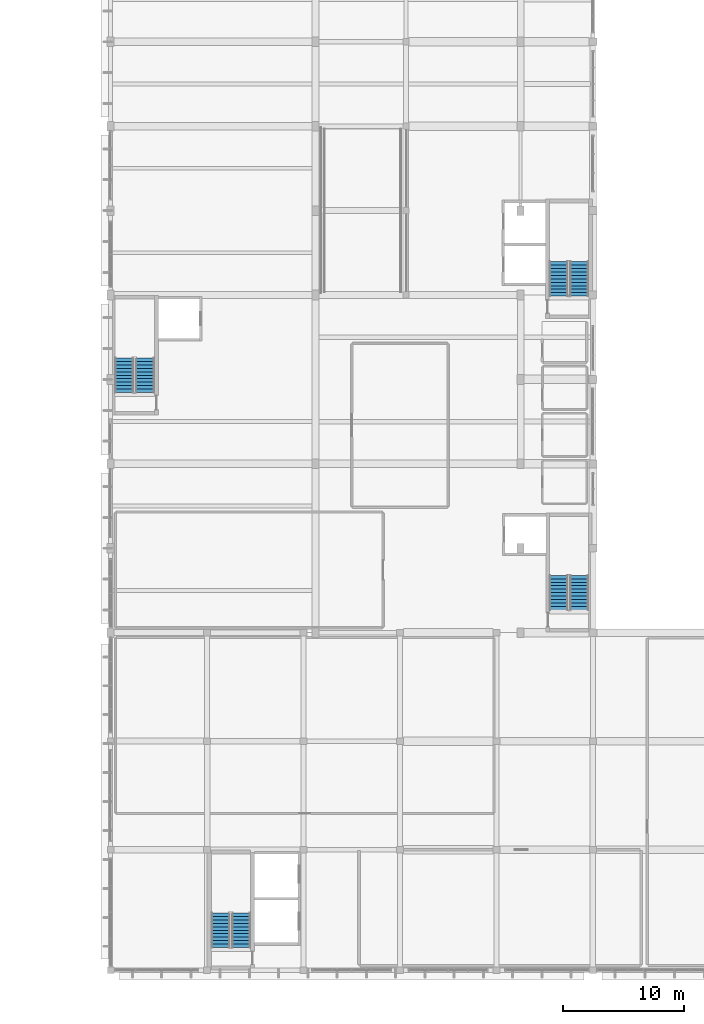
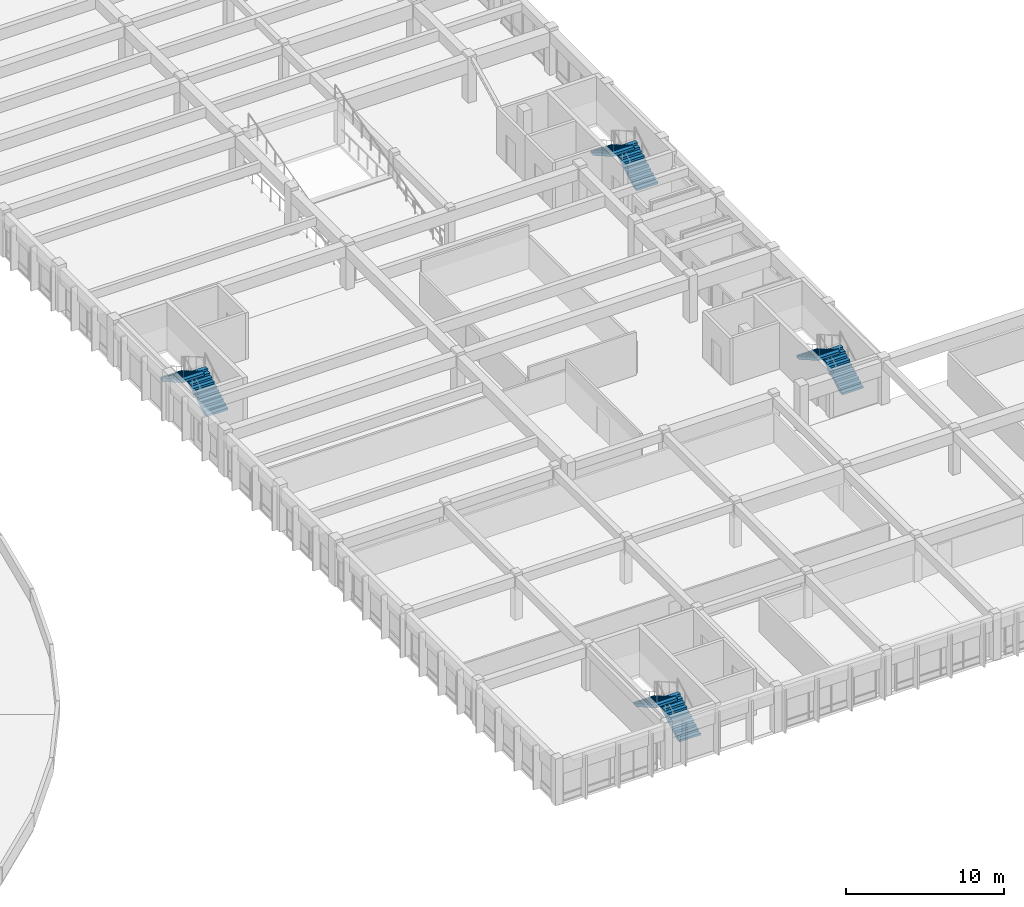
# One storey, part 62 of 77: 8 stair flights, 4 elements without a shape of their own.
"""IFC4 building model written with IfcOpenShell, lengths in metres."""

import ifcopenshell
import ifcopenshell.guid

model = None  # the IFC model being written
_history = None  # IfcOwnerHistory: only IFC2X3 demands one
_inside = {}  # id of a spatial element -> (the spatial element, [elements in it])
_under = {}  # id of a project, library or spatial element -> (it, [spatial elements below it])
_declared = {}  # id of a project -> (the project, [libraries it declares])
_typed = {}  # id of a type object -> (the type object, [elements of that type])
_made_of = {}  # id of a material, layer set ... -> (it, [elements and type objects made of it])


def new_model(schema):
    """Start an empty IFC model of exactly this schema.

    Asked for "IFC4X3", IfcOpenShell would pick the latest addendum, in which some entities
    have other attributes; the version numbers below select the first issue.
    IFC2X3 requires an IfcOwnerHistory on every rooted entity: one is made here for all.
    """
    global model, _history
    if schema == "IFC4X3":
        model = ifcopenshell.file(schema_version=(4, 3, 0, 0))
    else:
        model = ifcopenshell.file(schema=schema)
    _inside.clear()
    _under.clear()
    _declared.clear()
    _typed.clear()
    _made_of.clear()
    _history = None
    if model.schema == "IFC2X3":
        org = make("IfcOrganization", Name="unknown")
        user = make(
            "IfcPersonAndOrganization",
            ThePerson=make("IfcPerson", FamilyName="unknown"),
            TheOrganization=org,
        )
        app = make(
            "IfcApplication",
            ApplicationDeveloper=org,
            Version="unknown",
            ApplicationFullName="unknown",
            ApplicationIdentifier="unknown",
        )
        _history = make(
            "IfcOwnerHistory",
            OwningUser=user,
            OwningApplication=app,
            ChangeAction="ADDED",
            CreationDate=0,
        )
    return model


def make(cls, **values):
    """One entity of the class cls with the attributes given. An attribute that is None is left unset."""
    return model.create_entity(
        cls, **{name: value for name, value in values.items() if value is not None}
    )


def rooted(cls, **values):
    """An entity with a GlobalId (a new one), such as an element, a storey or a relation."""
    return make(cls, GlobalId=ifcopenshell.guid.new(), OwnerHistory=_history, **values)


def si_unit(unit_type, name, prefix=None):
    """IfcSIUnit, for example si_unit("LENGTHUNIT", "METRE", prefix="MILLI")."""
    return make("IfcSIUnit", UnitType=unit_type, Prefix=prefix, Name=name)


def assignment(units):
    """IfcUnitAssignment: the units of a project."""
    return None if units is None else make("IfcUnitAssignment", Units=units)


def point(xyz):
    """IfcCartesianPoint."""
    return None if xyz is None else make("IfcCartesianPoint", Coordinates=xyz)


def direction(xyz):
    """IfcDirection."""
    return None if xyz is None else make("IfcDirection", DirectionRatios=xyz)


def frame(location, z_axis=None, x_axis=None):
    """IfcAxis2Placement3D, a coordinate frame: its origin and axes. An axis left out is left unset."""
    return make(
        "IfcAxis2Placement3D",
        Location=point(location),
        Axis=direction(z_axis),
        RefDirection=direction(x_axis),
    )


def origin():
    """The frame at (0, 0, 0) with its axes left unset."""
    return frame((0.0, 0.0, 0.0))


def place(relative_to, where):
    """IfcLocalPlacement: puts the frame where relative to a parent placement (None: the world)."""
    return make(
        "IfcLocalPlacement", PlacementRelTo=relative_to, RelativePlacement=where
    )


def context(
    kind, dimensions, precision=None, world=None, true_north=None, identifier=None
):
    """IfcGeometricRepresentationContext, for example the 3D "Model" context."""
    return make(
        "IfcGeometricRepresentationContext",
        ContextIdentifier=identifier,
        ContextType=kind,
        CoordinateSpaceDimension=dimensions,
        Precision=precision,
        WorldCoordinateSystem=world,
        TrueNorth=true_north,
    )


def subcontext(parent, identifier, kind, view, scale=None):
    """IfcGeometricRepresentationSubContext, for example "Body" below "Model"."""
    return make(
        "IfcGeometricRepresentationSubContext",
        ContextIdentifier=identifier,
        ContextType=kind,
        ParentContext=parent,
        TargetScale=scale,
        TargetView=view,
    )


def project(units=None, contexts=None):
    """IfcProject with its units and contexts."""
    return rooted(
        "IfcProject",
        Name="project",
        RepresentationContexts=contexts,
        UnitsInContext=assignment(units),
    )


def spatial(cls, under=None, at=None, **own):
    """A site, building, storey or space (cls), placed at a placement, below another one or the project."""
    s = rooted(cls, ObjectPlacement=at, **own)
    if under is not None:
        _under.setdefault(under.id(), (under, []))[1].append(s)
    return s


def polyline(points):
    """IfcPolyline through the points."""
    return make("IfcPolyline", Points=[point(p) for p in points])


def outline(outer, holes=None, kind="AREA"):
    """IfcArbitraryClosedProfileDef: a profile drawn as a closed curve; with holes, ...WithVoids."""
    if holes is None:
        return make("IfcArbitraryClosedProfileDef", ProfileType=kind, OuterCurve=outer)
    return make(
        "IfcArbitraryProfileDefWithVoids",
        ProfileType=kind,
        OuterCurve=outer,
        InnerCurves=holes,
    )


def extrude(swept, where, along, depth):
    """IfcExtrudedAreaSolid: the profile swept, set in the frame where, extruded along a direction by depth."""
    return make(
        "IfcExtrudedAreaSolid",
        SweptArea=swept,
        Position=where,
        ExtrudedDirection=direction(along),
        Depth=depth,
    )


def shape(context_of_items, identifier, shape_type, items):
    """IfcShapeRepresentation: the items that make up one representation, for example the "Body"."""
    return make(
        "IfcShapeRepresentation",
        ContextOfItems=context_of_items,
        RepresentationIdentifier=identifier,
        RepresentationType=shape_type,
        Items=items,
    )


def material(Name=None, Category=None):
    """IfcMaterial."""
    return make("IfcMaterial", Name=Name, Category=Category)


def made_of(thing, what):
    """Note that an element or type object is made of a material, layer set ...; save() writes the relation."""
    if what is not None:
        _made_of.setdefault(what.id(), (what, []))[1].append(thing)
    return thing


def type_object(cls, material=None, **own):
    """A type object (cls), such as IfcWallType, which elements share."""
    return made_of(rooted(cls, **own), material)


def element(
    cls,
    number,
    at=None,
    inside=None,
    cuts=None,
    type_object=None,
    material=None,
    context=None,
    identifier="Body",
    shape_type=None,
    held_by="IfcProductDefinitionShape",
    body=None,
    shapes=None,
    **own,
):
    """One element of the class cls, such as IfcWall. Its Tag is "e" and its number.

    at: its placement. inside: the storey or other place that contains it. cuts: it is an
    opening in that element (IfcRelVoidsElement). A single representation is given by context,
    identifier, shape_type and body (its items); several are given by shapes. held_by: the class
    of the entity that holds the representations. save() writes the other relations.
    """
    e = rooted(cls, Tag="e%d" % number, ObjectPlacement=at, **own)
    if body is not None:
        shapes = [shape(context, identifier, shape_type, body)]
    if shapes is not None:
        e.Representation = make(held_by, Representations=shapes)
    if inside is not None:
        _inside.setdefault(inside.id(), (inside, []))[1].append(e)
    if cuts is not None:
        rooted(
            "IfcRelVoidsElement", RelatingBuildingElement=cuts, RelatedOpeningElement=e
        )
    if type_object is not None:
        _typed.setdefault(type_object.id(), (type_object, []))[1].append(e)
    return made_of(e, material)


def aggregate(whole, parts):
    """IfcRelAggregates: a whole, such as a stair, and the parts it consists of."""
    return rooted("IfcRelAggregates", RelatingObject=whole, RelatedObjects=parts)


def save(model, path):
    """Write the relations noted so far, then the file.

    IfcRelAggregates (storeys below a building ...), IfcRelContainedInSpatialStructure (elements
    in a storey), IfcRelDefinesByType, IfcRelAssociatesMaterial and IfcRelDeclares: one each for
    every whole, place, type object, material and project.
    """
    for whole, parts in _under.values():
        aggregate(whole, parts)
    for where, things in _inside.values():
        rooted(
            "IfcRelContainedInSpatialStructure",
            RelatedElements=things,
            RelatingStructure=where,
        )
    for kind, things in _typed.values():
        rooted("IfcRelDefinesByType", RelatedObjects=things, RelatingType=kind)
    for what, things in _made_of.values():
        rooted("IfcRelAssociatesMaterial", RelatedObjects=things, RelatingMaterial=what)
    for by, libraries in _declared.values():
        rooted("IfcRelDeclares", RelatingContext=by, RelatedDefinitions=libraries)
    model.write(path)


model = new_model("IFC4")

# Units and contexts
model_context = context("Model", 3, precision=1e-05, world=origin(), true_north=direction((0.0, 1.0)))
body_context = subcontext(model_context, "Body", "Model", "MODEL_VIEW")
ifc_project = project(units=[si_unit("LENGTHUNIT", "METRE"), si_unit("AREAUNIT", "SQUARE_METRE"), si_unit("VOLUMEUNIT", "CUBIC_METRE"), si_unit("PLANEANGLEUNIT", "RADIAN"), si_unit("MASSUNIT", "GRAM", prefix="KILO")], contexts=[model_context])

# Site, building, storey
site_placement = place(None, origin())
site = spatial("IfcSite", under=ifc_project, at=site_placement, CompositionType="ELEMENT")
building_placement = place(site_placement, origin())
building = spatial("IfcBuilding", under=site, at=building_placement, Name="Larkveld Mobility Hub", CompositionType="ELEMENT")
storey_placement = place(building_placement, frame((0.0, 0.0, 12.0)))
storey = spatial("IfcBuildingStorey", under=building, at=storey_placement, Name="L03", CompositionType="ELEMENT", Elevation=12.0)

# Stair, stair flights
ifc_material = material(Name="Concrete C40/50", Category="concrete")
stair_type_1 = type_object("IfcStairType", Name="ST-HT-01", PredefinedType="HALF_TURN_STAIR", material=ifc_material)
stair_1_placement = place(storey_placement, origin())
stair_1 = element("IfcStair", 1, at=stair_1_placement, inside=storey, type_object=stair_type_1, Name="L03 Protected Escape Stair ST1", PredefinedType="HALF_TURN_STAIR")
stair_flight_type_1 = type_object("IfcStairFlightType", Name="SF-HT-01", PredefinedType="STRAIGHT", material=ifc_material)
stair_flight_1_placement = place(storey_placement, frame((150.875, 29.89990234375, 0.0), z_axis=(0.0, 0.0, 1.0), x_axis=(0.0, 1.0, 0.0)))
stair_flight_1 = element("IfcStairFlight", 2, at=stair_flight_1_placement, type_object=stair_flight_type_1, Name="ST1 flight 1", NumberOfRisers=11, NumberOfTreads=10, PredefinedType="STRAIGHT", RiserHeight=0.163636364, TreadLength=0.285, context=body_context, shape_type="SweptSolid", body=[
    extrude(outline(polyline([(0.0, 0.0), (0.0, 0.16357421875), (0.284912109375, 0.16357421875), (0.284912109375, 0.327392578125), (0.570068359375, 0.327392578125), (0.570068359375, 0.490966796875), (0.85498046875, 0.490966796875), (0.85498046875, 0.654541015625), (1.139892578125, 0.654541015625), (1.139892578125, 0.818115234375), (1.425048828125, 0.818115234375), (1.425048828125, 0.98193359375), (1.7099609375, 0.98193359375), (1.7099609375, 1.1455078125), (1.9951171875, 1.1455078125), (1.9951171875, 1.30908203125), (2.280029296875, 1.30908203125), (2.280029296875, 1.47265625), (2.56494140625, 1.47265625), (2.56494140625, 1.636474609375), (2.85009765625, 1.636474609375), (2.85009765625, 1.800048828125), (2.85009765625, 1.45654296875), (0.313232421875, 0.0), (0.0, 0.0)])), frame((0.0, 0.77490234375, 0.0), z_axis=(0.0, -1.0, 0.0), x_axis=(1.0, 0.0, 0.0)), (0.0, 0.0, 1.0), 1.550048828125),
])
stair_flight_2_placement = place(storey_placement, frame((149.175048828125, 32.75, 1.800048828125), z_axis=(0.0, 0.0, 1.0), x_axis=(0.0, -1.0, 0.0)))
stair_flight_2 = element("IfcStairFlight", 3, at=stair_flight_2_placement, type_object=stair_flight_type_1, Name="ST1 flight 2", NumberOfRisers=11, NumberOfTreads=10, PredefinedType="STRAIGHT", RiserHeight=0.163636364, TreadLength=0.285, context=body_context, shape_type="SweptSolid", body=[
    extrude(outline(polyline([(0.0, 0.0), (0.0, 0.16357421875), (0.284912109375, 0.16357421875), (0.284912109375, 0.327392578125), (0.570068359375, 0.327392578125), (0.570068359375, 0.490966796875), (0.85498046875, 0.490966796875), (0.85498046875, 0.654541015625), (1.139892578125, 0.654541015625), (1.139892578125, 0.818115234375), (1.425048828125, 0.818115234375), (1.425048828125, 0.98193359375), (1.7099609375, 0.98193359375), (1.7099609375, 1.1455078125), (1.9951171875, 1.1455078125), (1.9951171875, 1.30908203125), (2.280029296875, 1.30908203125), (2.280029296875, 1.47265625), (2.56494140625, 1.47265625), (2.56494140625, 1.636474609375), (2.85009765625, 1.636474609375), (2.85009765625, 1.800048828125), (2.85009765625, 1.45654296875), (0.313232421875, 0.0), (0.0, 0.0)])), frame((0.0, 0.77490234375, 0.0), z_axis=(0.0, -1.0, 0.0), x_axis=(1.0, 0.0, 0.0)), (0.0, 0.0, 1.0), 1.550048828125),
])
aggregate(stair_1, [stair_flight_1, stair_flight_2])

stair_type_2 = type_object("IfcStairType", Name="ST-HT-02", PredefinedType="HALF_TURN_STAIR", material=ifc_material)
stair_2_placement = place(storey_placement, origin())
stair_2 = element("IfcStair", 4, at=stair_2_placement, inside=storey, type_object=stair_type_2, Name="L03 Protected Escape Stair ST2", PredefinedType="HALF_TURN_STAIR")
stair_flight_type_2 = type_object("IfcStairFlightType", Name="SF-HT-02", PredefinedType="STRAIGHT", material=ifc_material)
stair_flight_3_placement = place(storey_placement, frame((150.8701171875, 55.909912109375, 0.0), z_axis=(0.0, 0.0, 1.0), x_axis=(0.0, 1.0, 0.0)))
stair_flight_3 = element("IfcStairFlight", 5, at=stair_flight_3_placement, type_object=stair_flight_type_2, Name="ST2 flight 1", NumberOfRisers=11, NumberOfTreads=10, PredefinedType="STRAIGHT", RiserHeight=0.163636364, TreadLength=0.285, context=body_context, shape_type="SweptSolid", body=[
    extrude(outline(polyline([(0.0, 0.0), (0.0, 0.16357421875), (0.284912109375, 0.16357421875), (0.284912109375, 0.327392578125), (0.570068359375, 0.327392578125), (0.570068359375, 0.490966796875), (0.85498046875, 0.490966796875), (0.85498046875, 0.654541015625), (1.139892578125, 0.654541015625), (1.139892578125, 0.818115234375), (1.425048828125, 0.818115234375), (1.425048828125, 0.98193359375), (1.7099609375, 0.98193359375), (1.7099609375, 1.1455078125), (1.9951171875, 1.1455078125), (1.9951171875, 1.30908203125), (2.280029296875, 1.30908203125), (2.280029296875, 1.47265625), (2.56494140625, 1.47265625), (2.56494140625, 1.636474609375), (2.85009765625, 1.636474609375), (2.85009765625, 1.800048828125), (2.85009765625, 1.449462890625), (0.32568359375, 0.0), (0.0, 0.0)])), frame((0.0, 0.780029296875, 0.0), z_axis=(0.0, -1.0, 0.0), x_axis=(1.0, 0.0, 0.0)), (0.0, 0.0, 1.0), 1.56005859375),
])
stair_flight_4_placement = place(storey_placement, frame((149.159912109375, 58.760009765625, 1.800048828125), z_axis=(0.0, 0.0, 1.0), x_axis=(0.0, -1.0, 0.0)))
stair_flight_4 = element("IfcStairFlight", 6, at=stair_flight_4_placement, type_object=stair_flight_type_2, Name="ST2 flight 2", NumberOfRisers=11, NumberOfTreads=10, PredefinedType="STRAIGHT", RiserHeight=0.163636364, TreadLength=0.285, context=body_context, shape_type="SweptSolid", body=[
    extrude(outline(polyline([(0.0, 0.0), (0.0, 0.16357421875), (0.284912109375, 0.16357421875), (0.284912109375, 0.327392578125), (0.570068359375, 0.327392578125), (0.570068359375, 0.490966796875), (0.85498046875, 0.490966796875), (0.85498046875, 0.654541015625), (1.139892578125, 0.654541015625), (1.139892578125, 0.818115234375), (1.425048828125, 0.818115234375), (1.425048828125, 0.98193359375), (1.7099609375, 0.98193359375), (1.7099609375, 1.1455078125), (1.9951171875, 1.1455078125), (1.9951171875, 1.30908203125), (2.280029296875, 1.30908203125), (2.280029296875, 1.47265625), (2.56494140625, 1.47265625), (2.56494140625, 1.636474609375), (2.85009765625, 1.636474609375), (2.85009765625, 1.800048828125), (2.85009765625, 1.449462890625), (0.32568359375, 0.0), (0.0, 0.0)])), frame((0.0, 0.780029296875, 0.0), z_axis=(0.0, -1.0, 0.0), x_axis=(1.0, 0.0, 0.0)), (0.0, 0.0, 1.0), 1.56005859375),
])
aggregate(stair_2, [stair_flight_3, stair_flight_4])

stair_type_3 = type_object("IfcStairType", Name="ST-HT-03", PredefinedType="HALF_TURN_STAIR", material=ifc_material)
stair_3_placement = place(storey_placement, origin())
stair_3 = element("IfcStair", 7, at=stair_3_placement, inside=storey, type_object=stair_type_3, Name="L03 Protected Escape Stair ST3", PredefinedType="HALF_TURN_STAIR")
stair_flight_type_3 = type_object("IfcStairFlightType", Name="SF-HT-03", PredefinedType="STRAIGHT", material=ifc_material)
stair_flight_5_placement = place(storey_placement, frame((114.85498046875, 47.919921875, 0.0), z_axis=(0.0, 0.0, 1.0), x_axis=(0.0, 1.0, 0.0)))
stair_flight_5 = element("IfcStairFlight", 8, at=stair_flight_5_placement, type_object=stair_flight_type_3, Name="ST3 flight 1", NumberOfRisers=11, NumberOfTreads=10, PredefinedType="STRAIGHT", RiserHeight=0.163636364, TreadLength=0.285, context=body_context, shape_type="SweptSolid", body=[
    extrude(outline(polyline([(0.0, 0.0), (0.0, 0.16357421875), (0.284912109375, 0.16357421875), (0.284912109375, 0.327392578125), (0.570068359375, 0.327392578125), (0.570068359375, 0.490966796875), (0.85498046875, 0.490966796875), (0.85498046875, 0.654541015625), (1.139892578125, 0.654541015625), (1.139892578125, 0.818115234375), (1.425048828125, 0.818115234375), (1.425048828125, 0.98193359375), (1.7099609375, 0.98193359375), (1.7099609375, 1.1455078125), (1.9951171875, 1.1455078125), (1.9951171875, 1.30908203125), (2.280029296875, 1.30908203125), (2.280029296875, 1.47265625), (2.56494140625, 1.47265625), (2.56494140625, 1.636474609375), (2.85009765625, 1.636474609375), (2.85009765625, 1.800048828125), (2.85009765625, 1.442626953125), (0.33740234375, 0.0), (0.0, 0.0)])), frame((0.0, 0.78515625, 0.0), z_axis=(0.0, -1.0, 0.0), x_axis=(1.0, 0.0, 0.0)), (0.0, 0.0, 1.0), 1.570068359375),
])
stair_flight_6_placement = place(storey_placement, frame((113.135009765625, 50.77001953125, 1.800048828125), z_axis=(0.0, 0.0, 1.0), x_axis=(0.0, -1.0, 0.0)))
stair_flight_6 = element("IfcStairFlight", 9, at=stair_flight_6_placement, type_object=stair_flight_type_3, Name="ST3 flight 2", NumberOfRisers=11, NumberOfTreads=10, PredefinedType="STRAIGHT", RiserHeight=0.163636364, TreadLength=0.285, context=body_context, shape_type="SweptSolid", body=[
    extrude(outline(polyline([(0.0, 0.0), (0.0, 0.16357421875), (0.284912109375, 0.16357421875), (0.284912109375, 0.327392578125), (0.570068359375, 0.327392578125), (0.570068359375, 0.490966796875), (0.85498046875, 0.490966796875), (0.85498046875, 0.654541015625), (1.139892578125, 0.654541015625), (1.139892578125, 0.818115234375), (1.425048828125, 0.818115234375), (1.425048828125, 0.98193359375), (1.7099609375, 0.98193359375), (1.7099609375, 1.1455078125), (1.9951171875, 1.1455078125), (1.9951171875, 1.30908203125), (2.280029296875, 1.30908203125), (2.280029296875, 1.47265625), (2.56494140625, 1.47265625), (2.56494140625, 1.636474609375), (2.85009765625, 1.636474609375), (2.85009765625, 1.800048828125), (2.85009765625, 1.442626953125), (0.33740234375, 0.0), (0.0, 0.0)])), frame((0.0, 0.78515625, 0.0), z_axis=(0.0, -1.0, 0.0), x_axis=(1.0, 0.0, 0.0)), (0.0, 0.0, 1.0), 1.570068359375),
])
aggregate(stair_3, [stair_flight_5, stair_flight_6])

stair_type_4 = type_object("IfcStairType", Name="ST-HT-04", PredefinedType="HALF_TURN_STAIR", material=ifc_material)
stair_4_placement = place(storey_placement, origin())
stair_4 = element("IfcStair", 10, at=stair_4_placement, inside=storey, type_object=stair_type_4, Name="L03 Protected Escape Stair ST4", PredefinedType="HALF_TURN_STAIR")
stair_flight_type_4 = type_object("IfcStairFlightType", Name="SF-HT-04", PredefinedType="STRAIGHT", material=ifc_material)
stair_flight_7_placement = place(storey_placement, frame((122.824951171875, 1.89990234375, 0.0), z_axis=(0.0, 0.0, 1.0), x_axis=(0.0, 1.0, 0.0)))
stair_flight_7 = element("IfcStairFlight", 11, at=stair_flight_7_placement, type_object=stair_flight_type_4, Name="ST4 flight 1", NumberOfRisers=11, NumberOfTreads=10, PredefinedType="STRAIGHT", RiserHeight=0.163636364, TreadLength=0.285, context=body_context, shape_type="SweptSolid", body=[
    extrude(outline(polyline([(0.0, 0.0), (0.0, 0.16357421875), (0.284912109375, 0.16357421875), (0.284912109375, 0.327392578125), (0.570068359375, 0.327392578125), (0.570068359375, 0.490966796875), (0.85498046875, 0.490966796875), (0.85498046875, 0.654541015625), (1.139892578125, 0.654541015625), (1.139892578125, 0.818115234375), (1.425048828125, 0.818115234375), (1.425048828125, 0.98193359375), (1.7099609375, 0.98193359375), (1.7099609375, 1.1455078125), (1.9951171875, 1.1455078125), (1.9951171875, 1.30908203125), (2.280029296875, 1.30908203125), (2.280029296875, 1.47265625), (2.56494140625, 1.47265625), (2.56494140625, 1.636474609375), (2.85009765625, 1.636474609375), (2.85009765625, 1.800048828125), (2.85009765625, 1.435546875), (0.349609375, 0.0), (0.0, 0.0)])), frame((0.0, 0.77490234375, 0.0), z_axis=(0.0, -1.0, 0.0), x_axis=(1.0, 0.0, 0.0)), (0.0, 0.0, 1.0), 1.550048828125),
])
stair_flight_8_placement = place(storey_placement, frame((121.125, 4.75, 1.800048828125), z_axis=(0.0, 0.0, 1.0), x_axis=(0.0, -1.0, 0.0)))
stair_flight_8 = element("IfcStairFlight", 12, at=stair_flight_8_placement, type_object=stair_flight_type_4, Name="ST4 flight 2", NumberOfRisers=11, NumberOfTreads=10, PredefinedType="STRAIGHT", RiserHeight=0.163636364, TreadLength=0.285, context=body_context, shape_type="SweptSolid", body=[
    extrude(outline(polyline([(0.0, 0.0), (0.0, 0.16357421875), (0.284912109375, 0.16357421875), (0.284912109375, 0.327392578125), (0.570068359375, 0.327392578125), (0.570068359375, 0.490966796875), (0.85498046875, 0.490966796875), (0.85498046875, 0.654541015625), (1.139892578125, 0.654541015625), (1.139892578125, 0.818115234375), (1.425048828125, 0.818115234375), (1.425048828125, 0.98193359375), (1.7099609375, 0.98193359375), (1.7099609375, 1.1455078125), (1.9951171875, 1.1455078125), (1.9951171875, 1.30908203125), (2.280029296875, 1.30908203125), (2.280029296875, 1.47265625), (2.56494140625, 1.47265625), (2.56494140625, 1.636474609375), (2.85009765625, 1.636474609375), (2.85009765625, 1.800048828125), (2.85009765625, 1.435546875), (0.349609375, 0.0), (0.0, 0.0)])), frame((0.0, 0.77490234375, 0.0), z_axis=(0.0, -1.0, 0.0), x_axis=(1.0, 0.0, 0.0)), (0.0, 0.0, 1.0), 1.550048828125),
])
aggregate(stair_4, [stair_flight_7, stair_flight_8])

save(model, "model.ifc")
